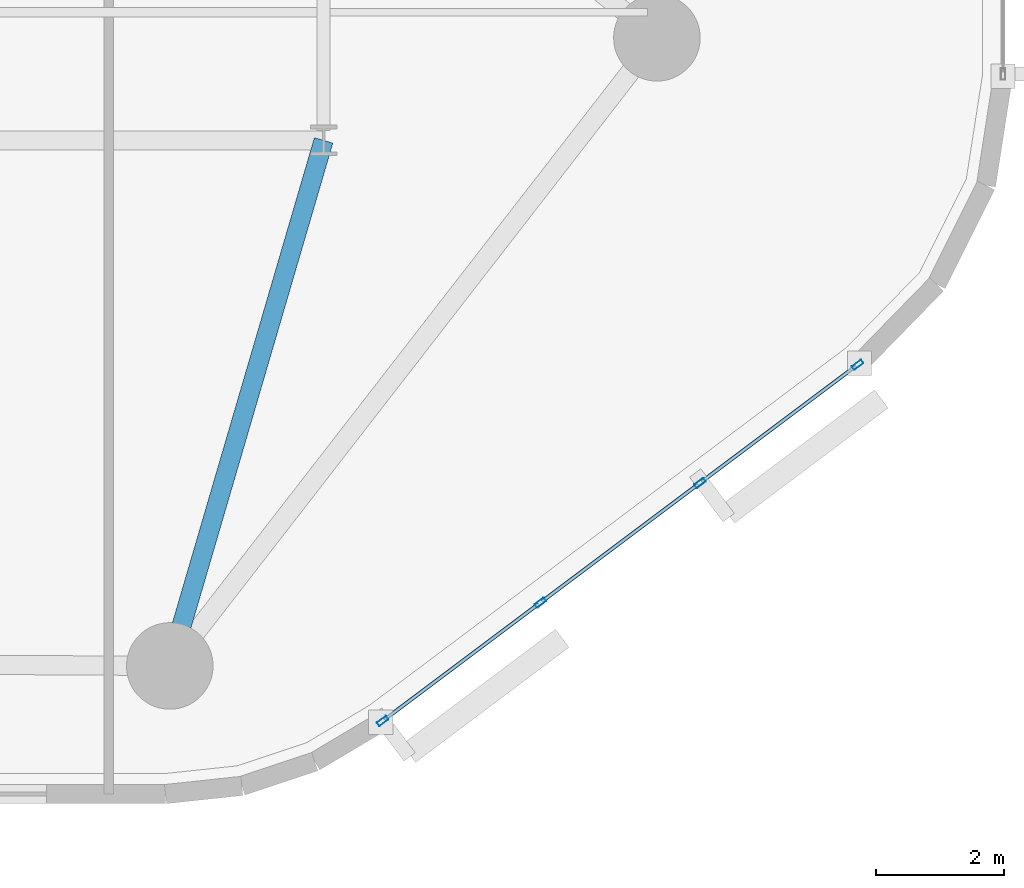
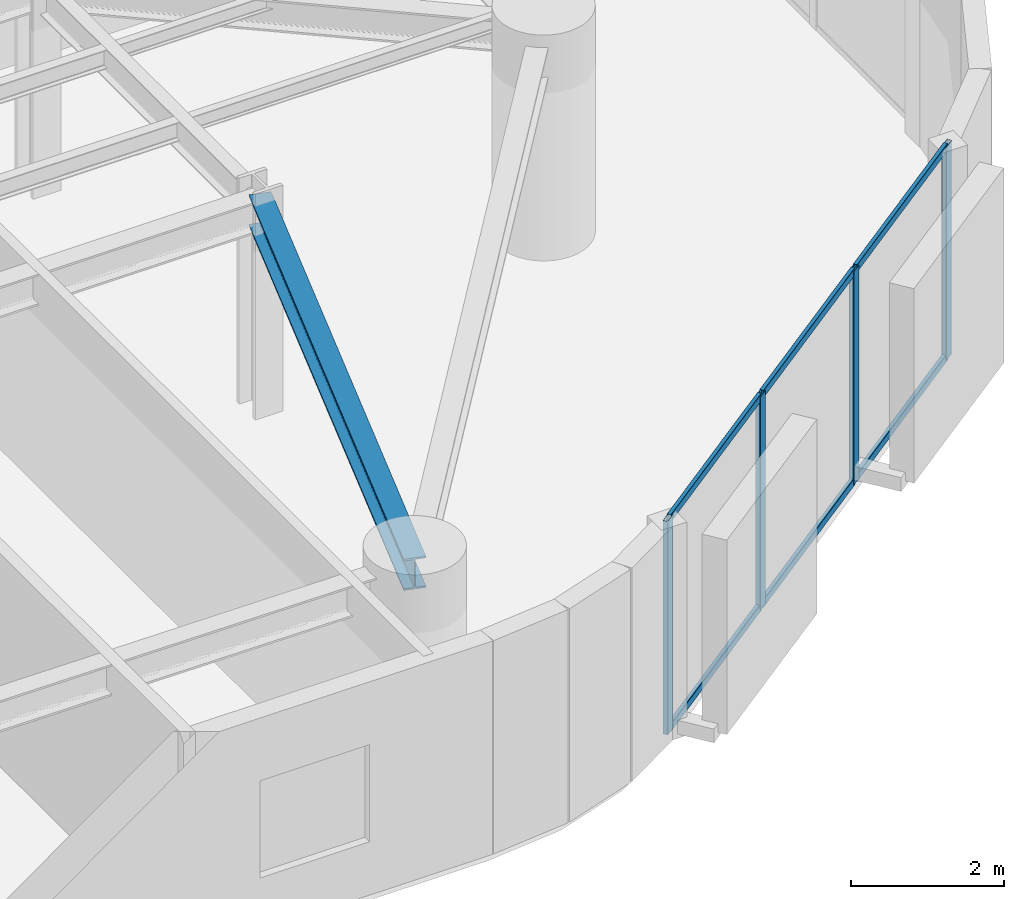
# One storey, part 2 of 15: 10 members, 1 beam, 1 element without a shape of its own.
"""IFC4 building model written with IfcOpenShell, lengths in metres."""

from ifc_helpers import new_model, si_unit, direction, frame, origin, origin_2d, place, context, subcontext, project, spatial, hollow_rectangle, i_section, extrude, material, layer, layer_set, material_profile, profile_set, type_object, element, aggregate, save


model = new_model("IFC4")

# Units and contexts
model_context = context("Model", 3, precision=1e-05, world=origin(), true_north=direction((0.0, 1.0)))
body_context = subcontext(model_context, "Body", "Model", "MODEL_VIEW")
ifc_project = project(units=[si_unit("LENGTHUNIT", "METRE"), si_unit("AREAUNIT", "SQUARE_METRE"), si_unit("VOLUMEUNIT", "CUBIC_METRE"), si_unit("PLANEANGLEUNIT", "RADIAN"), si_unit("MASSUNIT", "GRAM", prefix="KILO")], contexts=[model_context])

# Site, building, storey
site_placement = place(None, origin())
site = spatial("IfcSite", under=ifc_project, at=site_placement, CompositionType="ELEMENT")
building_placement = place(site_placement, origin())
building = spatial("IfcBuilding", under=site, at=building_placement, Name="An Khanh Terracotta Commons", CompositionType="ELEMENT")
storey_placement = place(building_placement, frame((0.0, 0.0, 86.300048828125)))
storey = spatial("IfcBuildingStorey", under=building, at=storey_placement, Name="L22", CompositionType="ELEMENT", Elevation=86.300048828125)

# Beam
ifc_material_1 = material(Name="Steel S355J2", Category="steel")
ifc_material_profile_1 = material_profile(ifc_material_1, i_section(OverallWidth=0.300048828125, OverallDepth=0.5, WebThickness=0.014404296875, FlangeThickness=0.028076171875, FilletRadius=0.027099609375, at=origin_2d()), Name="HEB500")
ifc_profile_set_1 = profile_set([ifc_material_profile_1], Name="Steel S355J2")
beam_type = type_object("IfcBeamType", Name="BM-HEB500", PredefinedType="BEAM", material=ifc_profile_set_1)
beam_placement = place(storey_placement, frame((44.39990234375, 6.199951171875, 3.14990234375), z_axis=(0.280916085823, 0.959732333896, 0.0), x_axis=(-0.959732333896, 0.280916085823, 0.0)))
element("IfcBeam", 1, at=beam_placement, inside=storey, type_object=beam_type, Name="L22 Mega-Column Tie Girder 2", PredefinedType="BEAM", context=body_context, shape_type="SweptSolid", body=[
    extrude(i_section(OverallWidth=0.300048828125, OverallDepth=0.5, WebThickness=0.014404296875, FlangeThickness=0.028076171875, FilletRadius=0.027099609375, at=origin_2d()), origin(), (0.0, 0.0, 1.0), 8.5439453125),
])

# Curtain wall, members
ifc_material_2 = material(Name="Anodised Aluminium 6063-T6", Category="aluminium")
ifc_layer = layer(ifc_material_2, 0.199951171875, Name="Anodised Aluminium 6063-T6")
ifc_layer_set = layer_set([ifc_layer], Name="Anodised Aluminium 6063-T6")
curtain_wall_type = type_object("IfcCurtainWallType", Name="CW-SYS-02", PredefinedType="USERDEFINED", material=ifc_layer_set)
curtain_wall_placement = place(storey_placement, origin())
curtain_wall = element("IfcCurtainWall", 2, at=curtain_wall_placement, inside=storey, type_object=curtain_wall_type, Name="L22 CW-02 Unitised Curtain Wall CW-L22-08", ObjectType="UNITISED CURTAIN WALL", PredefinedType="USERDEFINED")
ifc_material_profile_2 = material_profile(ifc_material_2, hollow_rectangle(XDim=0.070068359375, YDim=0.179931640625, WallThickness=0.00390625, InnerFilletRadius=0.00390625, OuterFilletRadius=0.008056640625, at=origin_2d()), Name="RHS180x70x4")
ifc_profile_set_2 = profile_set([ifc_material_profile_2], Name="Anodised Aluminium 6063-T6")
member_type_1 = type_object("IfcMemberType", Name="CWM-RHS180x70x4", PredefinedType="MULLION", material=ifc_profile_set_2)
member_1_placement = place(storey_placement, frame((47.720947265625, 5.341064453125, 0.0), z_axis=(0.0, 0.0, 1.0), x_axis=(-0.599982857492, 0.800012856594, 0.0)))
member_1 = element("IfcMember", 3, at=member_1_placement, type_object=member_type_1, Name="CW-02 mullion 1", PredefinedType="MULLION", context=body_context, shape_type="SweptSolid", body=[
    extrude(hollow_rectangle(XDim=0.070068359375, YDim=0.179931640625, WallThickness=0.00390625, InnerFilletRadius=0.00390625, OuterFilletRadius=0.008056640625, at=origin_2d()), origin(), (0.0, 0.0, 1.0), 3.39990234375),
])
member_2_placement = place(storey_placement, frame((50.181884765625, 7.186767578125, 0.0), z_axis=(0.0, 0.0, 1.0), x_axis=(-0.599982857492, 0.800012856594, 0.0)))
member_2 = element("IfcMember", 4, at=member_2_placement, type_object=member_type_1, Name="CW-02 mullion 2", PredefinedType="MULLION", context=body_context, shape_type="SweptSolid", body=[
    extrude(hollow_rectangle(XDim=0.070068359375, YDim=0.179931640625, WallThickness=0.00390625, InnerFilletRadius=0.00390625, OuterFilletRadius=0.008056640625, at=origin_2d()), origin(), (0.0, 0.0, 1.0), 3.39990234375),
])
member_3_placement = place(storey_placement, frame((52.6708984375, 9.05322265625, 0.0), z_axis=(0.0, 0.0, 1.0), x_axis=(-0.599982857492, 0.800012856594, 0.0)))
member_3 = element("IfcMember", 5, at=member_3_placement, type_object=member_type_1, Name="CW-02 mullion 3", PredefinedType="MULLION", context=body_context, shape_type="SweptSolid", body=[
    extrude(hollow_rectangle(XDim=0.070068359375, YDim=0.179931640625, WallThickness=0.00390625, InnerFilletRadius=0.00390625, OuterFilletRadius=0.008056640625, at=origin_2d()), origin(), (0.0, 0.0, 1.0), 3.39990234375),
])
member_4_placement = place(storey_placement, frame((55.132080078125, 10.89892578125, 0.0), z_axis=(0.0, 0.0, 1.0), x_axis=(-0.599982857492, 0.800012856594, 0.0)))
member_4 = element("IfcMember", 6, at=member_4_placement, type_object=member_type_1, Name="CW-02 mullion 4", PredefinedType="MULLION", context=body_context, shape_type="SweptSolid", body=[
    extrude(hollow_rectangle(XDim=0.070068359375, YDim=0.179931640625, WallThickness=0.00390625, InnerFilletRadius=0.00390625, OuterFilletRadius=0.008056640625, at=origin_2d()), origin(), (0.0, 0.0, 1.0), 3.39990234375),
])
ifc_material_profile_3 = material_profile(ifc_material_2, hollow_rectangle(XDim=0.06005859375, YDim=0.1201171875, WallThickness=0.003662109375, InnerFilletRadius=0.003662109375, OuterFilletRadius=0.007080078125, at=origin_2d()), Name="RHS120x60x3.6")
ifc_profile_set_3 = profile_set([ifc_material_profile_3], Name="Anodised Aluminium 6063-T6")
member_type_2 = type_object("IfcMemberType", Name="CWT-RHS120x60x3.6", PredefinedType="USERDEFINED", material=ifc_profile_set_3)
member_5_placement = place(storey_placement, frame((47.7490234375, 5.362060546875, 0.030029296875), z_axis=(0.800009745217, 0.599987006158, 0.0), x_axis=(-0.599987006158, 0.800009745217, 0.0)))
member_5 = element("IfcMember", 7, at=member_5_placement, type_object=member_type_2, Name="CW-02 transom 1.1", ObjectType="TRANSOM", PredefinedType="USERDEFINED", context=body_context, shape_type="SweptSolid", body=[
    extrude(hollow_rectangle(XDim=0.06005859375, YDim=0.1201171875, WallThickness=0.003662109375, InnerFilletRadius=0.003662109375, OuterFilletRadius=0.007080078125, at=origin_2d()), origin(), (0.0, 0.0, 1.0), 3.00634765625),
])
member_6_placement = place(storey_placement, frame((47.7490234375, 5.362060546875, 3.369873046875), z_axis=(0.800009745217, 0.599987006158, 0.0), x_axis=(-0.599987006158, 0.800009745217, 0.0)))
member_6 = element("IfcMember", 8, at=member_6_placement, type_object=member_type_2, Name="CW-02 transom 1.2", ObjectType="TRANSOM", PredefinedType="USERDEFINED", context=body_context, shape_type="SweptSolid", body=[
    extrude(hollow_rectangle(XDim=0.06005859375, YDim=0.1201171875, WallThickness=0.003662109375, InnerFilletRadius=0.003662109375, OuterFilletRadius=0.007080078125, at=origin_2d()), origin(), (0.0, 0.0, 1.0), 3.00634765625),
])
member_7_placement = place(storey_placement, frame((50.2099609375, 7.207763671875, 0.030029296875), z_axis=(0.800057796972, 0.599922929638, 0.0), x_axis=(-0.599922929638, 0.800057796972, 0.0)))
member_7 = element("IfcMember", 9, at=member_7_placement, type_object=member_type_2, Name="CW-02 transom 2.1", ObjectType="TRANSOM", PredefinedType="USERDEFINED", context=body_context, shape_type="SweptSolid", body=[
    extrude(hollow_rectangle(XDim=0.06005859375, YDim=0.1201171875, WallThickness=0.003662109375, InnerFilletRadius=0.003662109375, OuterFilletRadius=0.007080078125, at=origin_2d()), origin(), (0.0, 0.0, 1.0), 3.041259765625),
])
member_8_placement = place(storey_placement, frame((50.2099609375, 7.207763671875, 3.369873046875), z_axis=(0.800057796972, 0.599922929638, 0.0), x_axis=(-0.599922929638, 0.800057796972, 0.0)))
member_8 = element("IfcMember", 10, at=member_8_placement, type_object=member_type_2, Name="CW-02 transom 2.2", ObjectType="TRANSOM", PredefinedType="USERDEFINED", context=body_context, shape_type="SweptSolid", body=[
    extrude(hollow_rectangle(XDim=0.06005859375, YDim=0.1201171875, WallThickness=0.003662109375, InnerFilletRadius=0.003662109375, OuterFilletRadius=0.007080078125, at=origin_2d()), origin(), (0.0, 0.0, 1.0), 3.041259765625),
])
member_9_placement = place(storey_placement, frame((52.698974609375, 9.07421875, 0.030029296875), z_axis=(0.800009745217, 0.599987006158, 0.0), x_axis=(-0.599987006158, 0.800009745217, 0.0)))
member_9 = element("IfcMember", 11, at=member_9_placement, type_object=member_type_2, Name="CW-02 transom 3.1", ObjectType="TRANSOM", PredefinedType="USERDEFINED", context=body_context, shape_type="SweptSolid", body=[
    extrude(hollow_rectangle(XDim=0.06005859375, YDim=0.1201171875, WallThickness=0.003662109375, InnerFilletRadius=0.003662109375, OuterFilletRadius=0.007080078125, at=origin_2d()), origin(), (0.0, 0.0, 1.0), 3.00634765625),
])
member_10_placement = place(storey_placement, frame((52.698974609375, 9.07421875, 3.369873046875), z_axis=(0.800009745217, 0.599987006158, 0.0), x_axis=(-0.599987006158, 0.800009745217, 0.0)))
member_10 = element("IfcMember", 12, at=member_10_placement, type_object=member_type_2, Name="CW-02 transom 3.2", ObjectType="TRANSOM", PredefinedType="USERDEFINED", context=body_context, shape_type="SweptSolid", body=[
    extrude(hollow_rectangle(XDim=0.06005859375, YDim=0.1201171875, WallThickness=0.003662109375, InnerFilletRadius=0.003662109375, OuterFilletRadius=0.007080078125, at=origin_2d()), origin(), (0.0, 0.0, 1.0), 3.00634765625),
])
aggregate(curtain_wall, [member_1, member_2, member_3, member_4, member_5, member_6, member_7, member_8, member_9, member_10])

save(model, "model.ifc")
